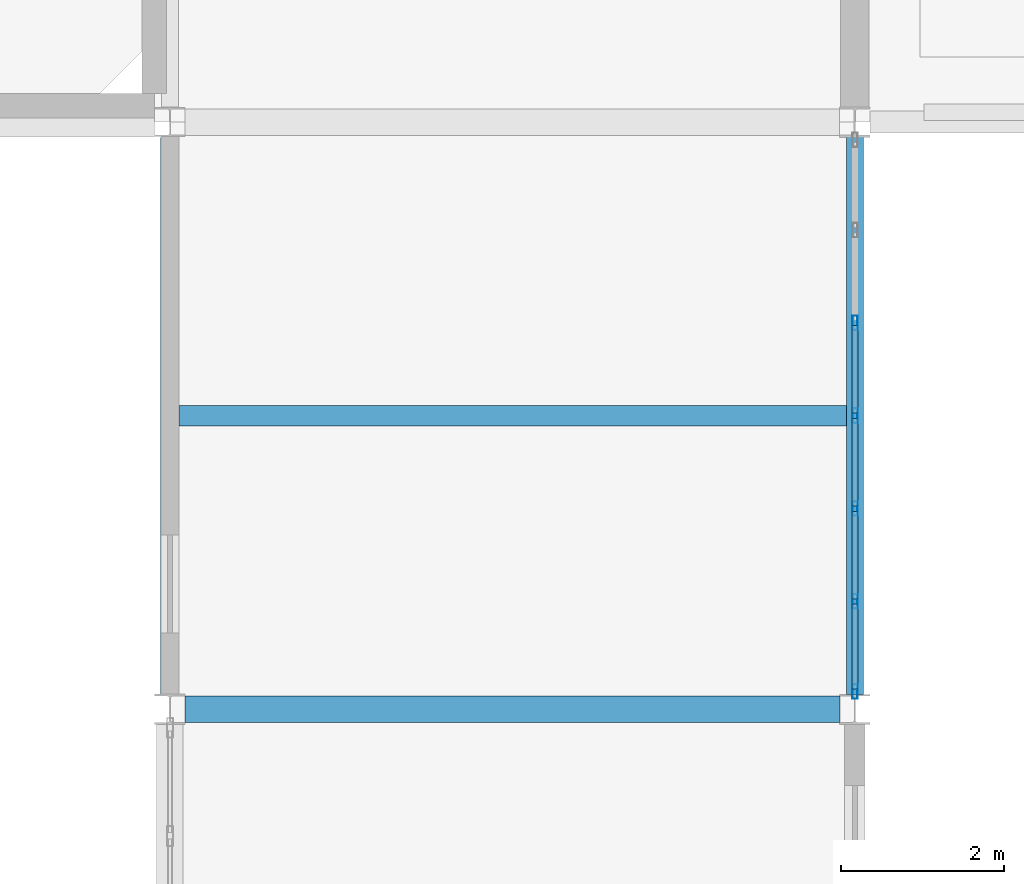
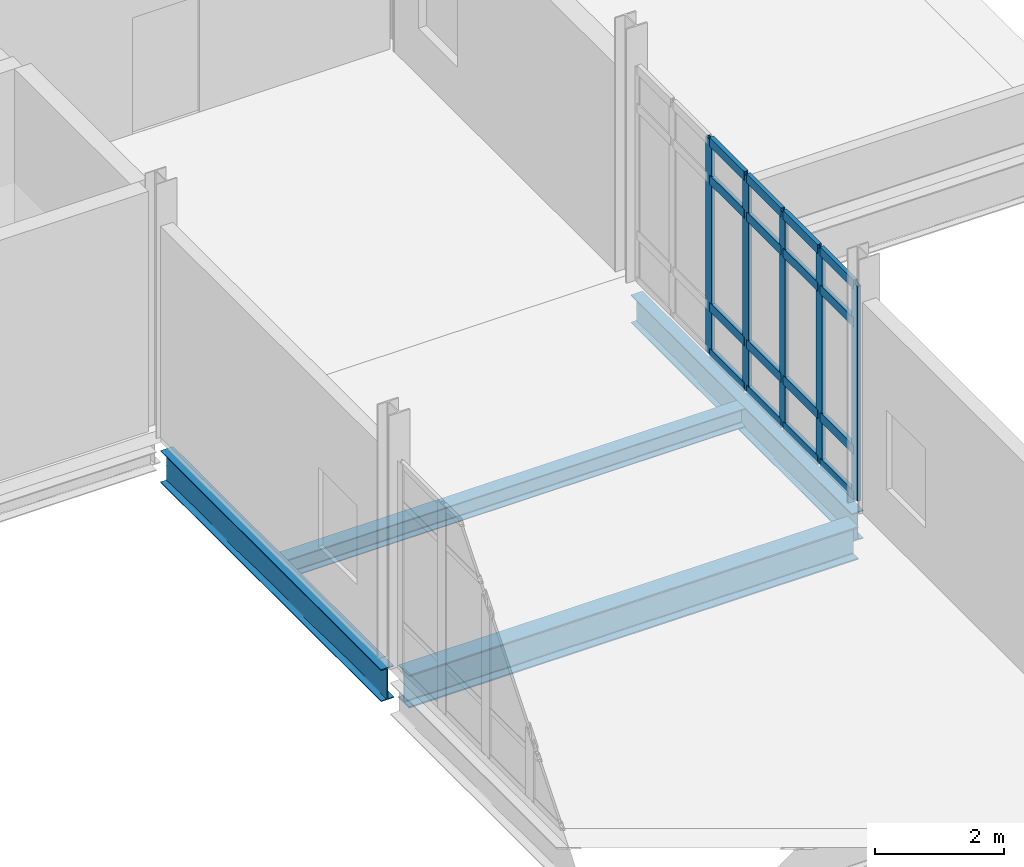
# One storey, part 80 of 186: 21 members, 4 beams, 1 element without a shape of its own.
"""IFC4 building model written with IfcOpenShell, lengths in metres."""

import ifcopenshell
import ifcopenshell.guid

model = None  # the IFC model being written
_history = None  # IfcOwnerHistory: only IFC2X3 demands one
_inside = {}  # id of a spatial element -> (the spatial element, [elements in it])
_under = {}  # id of a project, library or spatial element -> (it, [spatial elements below it])
_declared = {}  # id of a project -> (the project, [libraries it declares])
_typed = {}  # id of a type object -> (the type object, [elements of that type])
_made_of = {}  # id of a material, layer set ... -> (it, [elements and type objects made of it])


def new_model(schema):
    """Start an empty IFC model of exactly this schema.

    Asked for "IFC4X3", IfcOpenShell would pick the latest addendum, in which some entities
    have other attributes; the version numbers below select the first issue.
    IFC2X3 requires an IfcOwnerHistory on every rooted entity: one is made here for all.
    """
    global model, _history
    if schema == "IFC4X3":
        model = ifcopenshell.file(schema_version=(4, 3, 0, 0))
    else:
        model = ifcopenshell.file(schema=schema)
    _inside.clear()
    _under.clear()
    _declared.clear()
    _typed.clear()
    _made_of.clear()
    _history = None
    if model.schema == "IFC2X3":
        org = make("IfcOrganization", Name="unknown")
        user = make(
            "IfcPersonAndOrganization",
            ThePerson=make("IfcPerson", FamilyName="unknown"),
            TheOrganization=org,
        )
        app = make(
            "IfcApplication",
            ApplicationDeveloper=org,
            Version="unknown",
            ApplicationFullName="unknown",
            ApplicationIdentifier="unknown",
        )
        _history = make(
            "IfcOwnerHistory",
            OwningUser=user,
            OwningApplication=app,
            ChangeAction="ADDED",
            CreationDate=0,
        )
    return model


def make(cls, **values):
    """One entity of the class cls with the attributes given. An attribute that is None is left unset."""
    return model.create_entity(
        cls, **{name: value for name, value in values.items() if value is not None}
    )


def rooted(cls, **values):
    """An entity with a GlobalId (a new one), such as an element, a storey or a relation."""
    return make(cls, GlobalId=ifcopenshell.guid.new(), OwnerHistory=_history, **values)


def si_unit(unit_type, name, prefix=None):
    """IfcSIUnit, for example si_unit("LENGTHUNIT", "METRE", prefix="MILLI")."""
    return make("IfcSIUnit", UnitType=unit_type, Prefix=prefix, Name=name)


def assignment(units):
    """IfcUnitAssignment: the units of a project."""
    return None if units is None else make("IfcUnitAssignment", Units=units)


def point(xyz):
    """IfcCartesianPoint."""
    return None if xyz is None else make("IfcCartesianPoint", Coordinates=xyz)


def direction(xyz):
    """IfcDirection."""
    return None if xyz is None else make("IfcDirection", DirectionRatios=xyz)


def frame(location, z_axis=None, x_axis=None):
    """IfcAxis2Placement3D, a coordinate frame: its origin and axes. An axis left out is left unset."""
    return make(
        "IfcAxis2Placement3D",
        Location=point(location),
        Axis=direction(z_axis),
        RefDirection=direction(x_axis),
    )


def frame_2d(location, x_axis=None):
    """IfcAxis2Placement2D, a coordinate frame in the plane: its origin and x axis."""
    return make(
        "IfcAxis2Placement2D", Location=point(location), RefDirection=direction(x_axis)
    )


def origin():
    """The frame at (0, 0, 0) with its axes left unset."""
    return frame((0.0, 0.0, 0.0))


def origin_2d():
    """The frame at (0, 0) in the plane with its x axis left unset."""
    return frame_2d((0.0, 0.0))


def place(relative_to, where):
    """IfcLocalPlacement: puts the frame where relative to a parent placement (None: the world)."""
    return make(
        "IfcLocalPlacement", PlacementRelTo=relative_to, RelativePlacement=where
    )


def context(
    kind, dimensions, precision=None, world=None, true_north=None, identifier=None
):
    """IfcGeometricRepresentationContext, for example the 3D "Model" context."""
    return make(
        "IfcGeometricRepresentationContext",
        ContextIdentifier=identifier,
        ContextType=kind,
        CoordinateSpaceDimension=dimensions,
        Precision=precision,
        WorldCoordinateSystem=world,
        TrueNorth=true_north,
    )


def subcontext(parent, identifier, kind, view, scale=None):
    """IfcGeometricRepresentationSubContext, for example "Body" below "Model"."""
    return make(
        "IfcGeometricRepresentationSubContext",
        ContextIdentifier=identifier,
        ContextType=kind,
        ParentContext=parent,
        TargetScale=scale,
        TargetView=view,
    )


def project(units=None, contexts=None):
    """IfcProject with its units and contexts."""
    return rooted(
        "IfcProject",
        Name="project",
        RepresentationContexts=contexts,
        UnitsInContext=assignment(units),
    )


def spatial(cls, under=None, at=None, **own):
    """A site, building, storey or space (cls), placed at a placement, below another one or the project."""
    s = rooted(cls, ObjectPlacement=at, **own)
    if under is not None:
        _under.setdefault(under.id(), (under, []))[1].append(s)
    return s


def profile(cls, at=None, kind="AREA", **sizes):
    """A parametric profile (cls). Its sizes go by their IFC names, for example OverallWidth=200.0."""
    return make(cls, ProfileType=kind, Position=at, **sizes)


def hollow_rectangle(**sizes):
    """IfcRectangleHollowProfileDef."""
    return profile("IfcRectangleHollowProfileDef", **sizes)


def i_section(**sizes):
    """IfcIShapeProfileDef."""
    return profile("IfcIShapeProfileDef", **sizes)


def extrude(swept, where, along, depth):
    """IfcExtrudedAreaSolid: the profile swept, set in the frame where, extruded along a direction by depth."""
    return make(
        "IfcExtrudedAreaSolid",
        SweptArea=swept,
        Position=where,
        ExtrudedDirection=direction(along),
        Depth=depth,
    )


def shape(context_of_items, identifier, shape_type, items):
    """IfcShapeRepresentation: the items that make up one representation, for example the "Body"."""
    return make(
        "IfcShapeRepresentation",
        ContextOfItems=context_of_items,
        RepresentationIdentifier=identifier,
        RepresentationType=shape_type,
        Items=items,
    )


def material(Name=None, Category=None):
    """IfcMaterial."""
    return make("IfcMaterial", Name=Name, Category=Category)


def layer(
    of_material, thickness, ventilated=None, Name=None, Category=None, Priority=None
):
    """IfcMaterialLayer: one layer of a wall or slab, of a material (None: an air gap)."""
    return make(
        "IfcMaterialLayer",
        Material=of_material,
        LayerThickness=thickness,
        IsVentilated=ventilated,
        Name=Name,
        Category=Category,
        Priority=Priority,
    )


def layer_set(layers, Name=None):
    """IfcMaterialLayerSet."""
    return make("IfcMaterialLayerSet", MaterialLayers=layers, LayerSetName=Name)


def material_profile(
    of_material, cross_section, Name=None, Category=None, Priority=None
):
    """IfcMaterialProfile: a cross section and its material."""
    return make(
        "IfcMaterialProfile",
        Name=Name,
        Material=of_material,
        Profile=cross_section,
        Priority=Priority,
        Category=Category,
    )


def profile_set(profiles, Name=None, composite=None):
    """IfcMaterialProfileSet."""
    return make(
        "IfcMaterialProfileSet",
        Name=Name,
        MaterialProfiles=profiles,
        CompositeProfile=composite,
    )


def made_of(thing, what):
    """Note that an element or type object is made of a material, layer set ...; save() writes the relation."""
    if what is not None:
        _made_of.setdefault(what.id(), (what, []))[1].append(thing)
    return thing


def type_object(cls, material=None, **own):
    """A type object (cls), such as IfcWallType, which elements share."""
    return made_of(rooted(cls, **own), material)


def element(
    cls,
    number,
    at=None,
    inside=None,
    cuts=None,
    type_object=None,
    material=None,
    context=None,
    identifier="Body",
    shape_type=None,
    held_by="IfcProductDefinitionShape",
    body=None,
    shapes=None,
    **own,
):
    """One element of the class cls, such as IfcWall. Its Tag is "e" and its number.

    at: its placement. inside: the storey or other place that contains it. cuts: it is an
    opening in that element (IfcRelVoidsElement). A single representation is given by context,
    identifier, shape_type and body (its items); several are given by shapes. held_by: the class
    of the entity that holds the representations. save() writes the other relations.
    """
    e = rooted(cls, Tag="e%d" % number, ObjectPlacement=at, **own)
    if body is not None:
        shapes = [shape(context, identifier, shape_type, body)]
    if shapes is not None:
        e.Representation = make(held_by, Representations=shapes)
    if inside is not None:
        _inside.setdefault(inside.id(), (inside, []))[1].append(e)
    if cuts is not None:
        rooted(
            "IfcRelVoidsElement", RelatingBuildingElement=cuts, RelatedOpeningElement=e
        )
    if type_object is not None:
        _typed.setdefault(type_object.id(), (type_object, []))[1].append(e)
    return made_of(e, material)


def aggregate(whole, parts):
    """IfcRelAggregates: a whole, such as a stair, and the parts it consists of."""
    return rooted("IfcRelAggregates", RelatingObject=whole, RelatedObjects=parts)


def save(model, path):
    """Write the relations noted so far, then the file.

    IfcRelAggregates (storeys below a building ...), IfcRelContainedInSpatialStructure (elements
    in a storey), IfcRelDefinesByType, IfcRelAssociatesMaterial and IfcRelDeclares: one each for
    every whole, place, type object, material and project.
    """
    for whole, parts in _under.values():
        aggregate(whole, parts)
    for where, things in _inside.values():
        rooted(
            "IfcRelContainedInSpatialStructure",
            RelatedElements=things,
            RelatingStructure=where,
        )
    for kind, things in _typed.values():
        rooted("IfcRelDefinesByType", RelatedObjects=things, RelatingType=kind)
    for what, things in _made_of.values():
        rooted("IfcRelAssociatesMaterial", RelatedObjects=things, RelatingMaterial=what)
    for by, libraries in _declared.values():
        rooted("IfcRelDeclares", RelatingContext=by, RelatedDefinitions=libraries)
    model.write(path)


model = new_model("IFC4")

# Units and contexts
model_context = context("Model", 3, precision=1e-05, world=origin(), true_north=direction((0.0, 1.0)))
body_context = subcontext(model_context, "Body", "Model", "MODEL_VIEW")
ifc_project = project(units=[si_unit("LENGTHUNIT", "METRE"), si_unit("AREAUNIT", "SQUARE_METRE"), si_unit("VOLUMEUNIT", "CUBIC_METRE"), si_unit("PLANEANGLEUNIT", "RADIAN"), si_unit("MASSUNIT", "GRAM", prefix="KILO")], contexts=[model_context])

# Site, building, storey
site_placement = place(None, origin())
site = spatial("IfcSite", under=ifc_project, at=site_placement, CompositionType="ELEMENT")
building_placement = place(site_placement, origin())
building = spatial("IfcBuilding", under=site, at=building_placement, Name="Calvrana Isthmian Art Gallery", CompositionType="ELEMENT")
storey_placement = place(building_placement, frame((0.0, 0.0, 5.39990234375)))
storey = spatial("IfcBuildingStorey", under=building, at=storey_placement, Name="L01", CompositionType="ELEMENT", Elevation=5.39990234375)

# Beams
ifc_material_1 = material(Name="Steel ASTM A992 Gr 50", Category="steel")
ifc_material_profile_1 = material_profile(ifc_material_1, i_section(OverallWidth=0.208984375, OverallDepth=0.532958984375, WebThickness=0.01025390625, FlangeThickness=0.015625, FilletRadius=0.02099609375, at=origin_2d()), Name="W21X62")
ifc_profile_set_1 = profile_set([ifc_material_profile_1], Name="Steel ASTM A992 Gr 50")
beam_type_1 = type_object("IfcBeamType", Name="BM-G-W21X62", PredefinedType="BEAM", material=ifc_profile_set_1)
beam_1_placement = place(storey_placement, frame((63.60009765625, 91.381591796875, -0.511474609375), z_axis=(0.0, 1.0, 0.0), x_axis=(-1.0, 0.0, 0.0)))
element("IfcBeam", 1, at=beam_1_placement, inside=storey, type_object=beam_type_1, Name="Girder Y L01 09/M-N", PredefinedType="BEAM", context=body_context, shape_type="SweptSolid", body=[
    extrude(i_section(OverallWidth=0.208984375, OverallDepth=0.532958984375, WebThickness=0.01025390625, FlangeThickness=0.015625, FilletRadius=0.02099609375, at=origin_2d()), origin(), (0.0, 0.0, 1.0), 6.83447265625),
])
ifc_material_profile_2 = material_profile(ifc_material_1, i_section(OverallWidth=0.327880859375, OverallDepth=0.6220703125, WebThickness=0.015380859375, FlangeThickness=0.0244140625, FilletRadius=0.02197265625, at=origin_2d()), Name="W24X131")
ifc_profile_set_2 = profile_set([ifc_material_profile_2], Name="Steel ASTM A992 Gr 50")
beam_type_2 = type_object("IfcBeamType", Name="BM-G-W24X131", PredefinedType="BEAM", material=ifc_profile_set_2)
beam_2_placement = place(storey_placement, frame((55.386474609375, 91.199951171875, -0.555908203125), z_axis=(1.0, 0.0, 0.0), x_axis=(0.0, 1.0, 0.0)))
element("IfcBeam", 2, at=beam_2_placement, inside=storey, type_object=beam_type_2, Name="Girder X L01 08-09/M", PredefinedType="BEAM", context=body_context, shape_type="SweptSolid", body=[
    extrude(i_section(OverallWidth=0.327880859375, OverallDepth=0.6220703125, WebThickness=0.015380859375, FlangeThickness=0.0244140625, FilletRadius=0.02197265625, at=origin_2d()), origin(), (0.0, 0.0, 1.0), 8.028076171875),
])
ifc_material_profile_3 = material_profile(ifc_material_1, i_section(OverallWidth=0.22802734375, OverallDepth=0.60693359375, WebThickness=0.01123046875, FlangeThickness=0.017333984375, FilletRadius=0.02197265625, at=origin_2d()), Name="W24X76")
ifc_profile_set_3 = profile_set([ifc_material_profile_3], Name="Steel ASTM A992 Gr 50")
beam_type_3 = type_object("IfcBeamType", Name="BM-G-W24X76", PredefinedType="BEAM", material=ifc_profile_set_3)
beam_3_placement = place(storey_placement, frame((55.199951171875, 91.384033203125, -0.54833984375), z_axis=(0.0, 1.0, 0.0), x_axis=(-1.0, 0.0, 0.0)))
element("IfcBeam", 3, at=beam_3_placement, inside=storey, type_object=beam_type_3, Name="Girder Y L01 08/M-N", PredefinedType="BEAM", context=body_context, shape_type="SweptSolid", body=[
    extrude(i_section(OverallWidth=0.22802734375, OverallDepth=0.60693359375, WebThickness=0.01123046875, FlangeThickness=0.017333984375, FilletRadius=0.02197265625, at=origin_2d()), origin(), (0.0, 0.0, 1.0), 6.829345703125),
])
ifc_material_profile_4 = material_profile(ifc_material_1, i_section(OverallWidth=0.25390625, OverallDepth=0.35302734375, WebThickness=0.009521484375, FlangeThickness=0.016357421875, FilletRadius=0.01806640625, at=origin_2d()), Name="W14X61")
ifc_profile_set_4 = profile_set([ifc_material_profile_4], Name="Steel ASTM A992 Gr 50")
beam_type_4 = type_object("IfcBeamType", Name="BM-J-W14X61", PredefinedType="JOIST", material=ifc_profile_set_4)
beam_4_placement = place(storey_placement, frame((55.31396484375, 94.800048828125, -0.42138671875), z_axis=(1.0, 0.0, 0.0), x_axis=(0.0, 1.0, 0.0)))
element("IfcBeam", 4, at=beam_4_placement, inside=storey, type_object=beam_type_4, Name="Composite joist L01 bay 07-12", PredefinedType="JOIST", context=body_context, shape_type="SweptSolid", body=[
    extrude(i_section(OverallWidth=0.25390625, OverallDepth=0.35302734375, WebThickness=0.009521484375, FlangeThickness=0.016357421875, FilletRadius=0.01806640625, at=origin_2d()), origin(), (0.0, 0.0, 1.0), 8.181640625),
])

# Curtain wall, members
ifc_material_2 = material(Name="Anodized bronze aluminium 6063-T6", Category="aluminium")
ifc_layer = layer(ifc_material_2, 0.179931640625, Name="Anodized bronze aluminium 6063-T6")
ifc_layer_set = layer_set([ifc_layer], Name="Anodized bronze aluminium 6063-T6")
curtain_wall_type = type_object("IfcCurtainWallType", Name="CW-STICK-068X41", PredefinedType="NOTDEFINED", material=ifc_layer_set)
curtain_wall_placement = place(storey_placement, origin())
curtain_wall = element("IfcCurtainWall", 5, at=curtain_wall_placement, inside=storey, type_object=curtain_wall_type, Name="Curtain wall CW-128", PredefinedType="NOTDEFINED")
ifc_material_profile_5 = material_profile(ifc_material_2, hollow_rectangle(XDim=0.06494140625, YDim=0.179931640625, WallThickness=0.00439453125, at=origin_2d()), Name="CWM65X180")
ifc_profile_set_5 = profile_set([ifc_material_profile_5], Name="Anodized bronze aluminium 6063-T6")
member_type_1 = type_object("IfcMemberType", Name="CWM-CWM65X180", PredefinedType="MULLION", material=ifc_profile_set_5)
member_1_placement = place(storey_placement, frame((63.60009765625, 95.93701171875, 0.0), z_axis=(0.0, 0.0, 1.0), x_axis=(1.0, 0.0, 0.0)))
member_1 = element("IfcMember", 6, at=member_1_placement, type_object=member_type_1, Name="CW-128 mullion 3", PredefinedType="MULLION", context=body_context, shape_type="SweptSolid", body=[
    extrude(hollow_rectangle(XDim=0.06494140625, YDim=0.179931640625, WallThickness=0.00439453125, at=origin_2d()), origin(), (0.0, 0.0, 1.0), 4.05810546875),
])
member_2_placement = place(storey_placement, frame((63.60009765625, 94.798828125, 0.0), z_axis=(0.0, 0.0, 1.0), x_axis=(1.0, 0.0, 0.0)))
member_2 = element("IfcMember", 7, at=member_2_placement, type_object=member_type_1, Name="CW-128 mullion 4", PredefinedType="MULLION", context=body_context, shape_type="SweptSolid", body=[
    extrude(hollow_rectangle(XDim=0.06494140625, YDim=0.179931640625, WallThickness=0.00439453125, at=origin_2d()), origin(), (0.0, 0.0, 1.0), 4.05810546875),
])
member_3_placement = place(storey_placement, frame((63.60009765625, 93.660400390625, 0.0), z_axis=(0.0, 0.0, 1.0), x_axis=(1.0, 0.0, 0.0)))
member_3 = element("IfcMember", 8, at=member_3_placement, type_object=member_type_1, Name="CW-128 mullion 5", PredefinedType="MULLION", context=body_context, shape_type="SweptSolid", body=[
    extrude(hollow_rectangle(XDim=0.06494140625, YDim=0.179931640625, WallThickness=0.00439453125, at=origin_2d()), origin(), (0.0, 0.0, 1.0), 4.05810546875),
])
member_4_placement = place(storey_placement, frame((63.60009765625, 92.522216796875, 0.0), z_axis=(0.0, 0.0, 1.0), x_axis=(1.0, 0.0, 0.0)))
member_4 = element("IfcMember", 9, at=member_4_placement, type_object=member_type_1, Name="CW-128 mullion 6", PredefinedType="MULLION", context=body_context, shape_type="SweptSolid", body=[
    extrude(hollow_rectangle(XDim=0.06494140625, YDim=0.179931640625, WallThickness=0.00439453125, at=origin_2d()), origin(), (0.0, 0.0, 1.0), 4.05810546875),
])
member_5_placement = place(storey_placement, frame((63.60009765625, 91.41650390625, 0.0), z_axis=(0.0, 0.0, 1.0), x_axis=(1.0, 0.0, 0.0)))
member_5 = element("IfcMember", 10, at=member_5_placement, type_object=member_type_1, Name="CW-128 mullion 7", PredefinedType="MULLION", context=body_context, shape_type="SweptSolid", body=[
    extrude(hollow_rectangle(XDim=0.06494140625, YDim=0.179931640625, WallThickness=0.00439453125, at=origin_2d()), origin(), (0.0, 0.0, 1.0), 4.05810546875),
])
ifc_material_profile_6 = material_profile(ifc_material_2, hollow_rectangle(XDim=0.070068359375, YDim=0.169921875, WallThickness=0.00439453125, at=origin_2d()), Name="CWT70X170")
ifc_profile_set_6 = profile_set([ifc_material_profile_6], Name="Anodized bronze aluminium 6063-T6")
member_type_2 = type_object("IfcMemberType", Name="CWT-CWT70X170", PredefinedType="USERDEFINED", material=ifc_profile_set_6)
member_6_placement = place(storey_placement, frame((63.60009765625, 95.904541015625, 0.03515625), z_axis=(0.0, -1.0, 0.0), x_axis=(1.0, 0.0, 0.0)))
member_6 = element("IfcMember", 11, at=member_6_placement, type_object=member_type_2, Name="CW-128 transom 3.1", ObjectType="TRANSOM", PredefinedType="USERDEFINED", context=body_context, shape_type="SweptSolid", body=[
    extrude(hollow_rectangle(XDim=0.070068359375, YDim=0.169921875, WallThickness=0.00439453125, at=origin_2d()), origin(), (0.0, 0.0, 1.0), 1.0732421875),
])
member_7_placement = place(storey_placement, frame((63.60009765625, 95.904541015625, 0.900146484375), z_axis=(0.0, -1.0, 0.0), x_axis=(1.0, 0.0, 0.0)))
member_7 = element("IfcMember", 12, at=member_7_placement, type_object=member_type_2, Name="CW-128 transom 3.2", ObjectType="TRANSOM", PredefinedType="USERDEFINED", context=body_context, shape_type="SweptSolid", body=[
    extrude(hollow_rectangle(XDim=0.070068359375, YDim=0.169921875, WallThickness=0.00439453125, at=origin_2d()), origin(), (0.0, 0.0, 1.0), 1.0732421875),
])
member_8_placement = place(storey_placement, frame((63.60009765625, 95.904541015625, 3.30810546875), z_axis=(0.0, -1.0, 0.0), x_axis=(1.0, 0.0, 0.0)))
member_8 = element("IfcMember", 13, at=member_8_placement, type_object=member_type_2, Name="CW-128 transom 3.3", ObjectType="TRANSOM", PredefinedType="USERDEFINED", context=body_context, shape_type="SweptSolid", body=[
    extrude(hollow_rectangle(XDim=0.070068359375, YDim=0.169921875, WallThickness=0.00439453125, at=origin_2d()), origin(), (0.0, 0.0, 1.0), 1.0732421875),
])
member_9_placement = place(storey_placement, frame((63.60009765625, 95.904541015625, 4.023193359375), z_axis=(0.0, -1.0, 0.0), x_axis=(1.0, 0.0, 0.0)))
member_9 = element("IfcMember", 14, at=member_9_placement, type_object=member_type_2, Name="CW-128 transom 3.4", ObjectType="TRANSOM", PredefinedType="USERDEFINED", context=body_context, shape_type="SweptSolid", body=[
    extrude(hollow_rectangle(XDim=0.070068359375, YDim=0.169921875, WallThickness=0.00439453125, at=origin_2d()), origin(), (0.0, 0.0, 1.0), 1.0732421875),
])
member_10_placement = place(storey_placement, frame((63.60009765625, 94.766357421875, 0.03515625), z_axis=(0.0, -1.0, 0.0), x_axis=(1.0, 0.0, 0.0)))
member_10 = element("IfcMember", 15, at=member_10_placement, type_object=member_type_2, Name="CW-128 transom 4.1", ObjectType="TRANSOM", PredefinedType="USERDEFINED", context=body_context, shape_type="SweptSolid", body=[
    extrude(hollow_rectangle(XDim=0.070068359375, YDim=0.169921875, WallThickness=0.00439453125, at=origin_2d()), origin(), (0.0, 0.0, 1.0), 1.0732421875),
])
member_11_placement = place(storey_placement, frame((63.60009765625, 94.766357421875, 0.900146484375), z_axis=(0.0, -1.0, 0.0), x_axis=(1.0, 0.0, 0.0)))
member_11 = element("IfcMember", 16, at=member_11_placement, type_object=member_type_2, Name="CW-128 transom 4.2", ObjectType="TRANSOM", PredefinedType="USERDEFINED", context=body_context, shape_type="SweptSolid", body=[
    extrude(hollow_rectangle(XDim=0.070068359375, YDim=0.169921875, WallThickness=0.00439453125, at=origin_2d()), origin(), (0.0, 0.0, 1.0), 1.0732421875),
])
member_12_placement = place(storey_placement, frame((63.60009765625, 94.766357421875, 3.30810546875), z_axis=(0.0, -1.0, 0.0), x_axis=(1.0, 0.0, 0.0)))
member_12 = element("IfcMember", 17, at=member_12_placement, type_object=member_type_2, Name="CW-128 transom 4.3", ObjectType="TRANSOM", PredefinedType="USERDEFINED", context=body_context, shape_type="SweptSolid", body=[
    extrude(hollow_rectangle(XDim=0.070068359375, YDim=0.169921875, WallThickness=0.00439453125, at=origin_2d()), origin(), (0.0, 0.0, 1.0), 1.0732421875),
])
member_13_placement = place(storey_placement, frame((63.60009765625, 94.766357421875, 4.023193359375), z_axis=(0.0, -1.0, 0.0), x_axis=(1.0, 0.0, 0.0)))
member_13 = element("IfcMember", 18, at=member_13_placement, type_object=member_type_2, Name="CW-128 transom 4.4", ObjectType="TRANSOM", PredefinedType="USERDEFINED", context=body_context, shape_type="SweptSolid", body=[
    extrude(hollow_rectangle(XDim=0.070068359375, YDim=0.169921875, WallThickness=0.00439453125, at=origin_2d()), origin(), (0.0, 0.0, 1.0), 1.0732421875),
])
member_14_placement = place(storey_placement, frame((63.60009765625, 93.6279296875, 0.03515625), z_axis=(0.0, -1.0, 0.0), x_axis=(1.0, 0.0, 0.0)))
member_14 = element("IfcMember", 19, at=member_14_placement, type_object=member_type_2, Name="CW-128 transom 5.1", ObjectType="TRANSOM", PredefinedType="USERDEFINED", context=body_context, shape_type="SweptSolid", body=[
    extrude(hollow_rectangle(XDim=0.070068359375, YDim=0.169921875, WallThickness=0.00439453125, at=origin_2d()), origin(), (0.0, 0.0, 1.0), 1.0732421875),
])
member_15_placement = place(storey_placement, frame((63.60009765625, 93.6279296875, 0.900146484375), z_axis=(0.0, -1.0, 0.0), x_axis=(1.0, 0.0, 0.0)))
member_15 = element("IfcMember", 20, at=member_15_placement, type_object=member_type_2, Name="CW-128 transom 5.2", ObjectType="TRANSOM", PredefinedType="USERDEFINED", context=body_context, shape_type="SweptSolid", body=[
    extrude(hollow_rectangle(XDim=0.070068359375, YDim=0.169921875, WallThickness=0.00439453125, at=origin_2d()), origin(), (0.0, 0.0, 1.0), 1.0732421875),
])
member_16_placement = place(storey_placement, frame((63.60009765625, 93.6279296875, 3.30810546875), z_axis=(0.0, -1.0, 0.0), x_axis=(1.0, 0.0, 0.0)))
member_16 = element("IfcMember", 21, at=member_16_placement, type_object=member_type_2, Name="CW-128 transom 5.3", ObjectType="TRANSOM", PredefinedType="USERDEFINED", context=body_context, shape_type="SweptSolid", body=[
    extrude(hollow_rectangle(XDim=0.070068359375, YDim=0.169921875, WallThickness=0.00439453125, at=origin_2d()), origin(), (0.0, 0.0, 1.0), 1.0732421875),
])
member_17_placement = place(storey_placement, frame((63.60009765625, 93.6279296875, 4.023193359375), z_axis=(0.0, -1.0, 0.0), x_axis=(1.0, 0.0, 0.0)))
member_17 = element("IfcMember", 22, at=member_17_placement, type_object=member_type_2, Name="CW-128 transom 5.4", ObjectType="TRANSOM", PredefinedType="USERDEFINED", context=body_context, shape_type="SweptSolid", body=[
    extrude(hollow_rectangle(XDim=0.070068359375, YDim=0.169921875, WallThickness=0.00439453125, at=origin_2d()), origin(), (0.0, 0.0, 1.0), 1.0732421875),
])
member_18_placement = place(storey_placement, frame((63.60009765625, 92.48974609375, 0.03515625), z_axis=(0.0, -1.0, 0.0), x_axis=(1.0, 0.0, 0.0)))
member_18 = element("IfcMember", 23, at=member_18_placement, type_object=member_type_2, Name="CW-128 transom 6.1", ObjectType="TRANSOM", PredefinedType="USERDEFINED", context=body_context, shape_type="SweptSolid", body=[
    extrude(hollow_rectangle(XDim=0.070068359375, YDim=0.169921875, WallThickness=0.00439453125, at=origin_2d()), origin(), (0.0, 0.0, 1.0), 1.040771484375),
])
member_19_placement = place(storey_placement, frame((63.60009765625, 92.48974609375, 0.900146484375), z_axis=(0.0, -1.0, 0.0), x_axis=(1.0, 0.0, 0.0)))
member_19 = element("IfcMember", 24, at=member_19_placement, type_object=member_type_2, Name="CW-128 transom 6.2", ObjectType="TRANSOM", PredefinedType="USERDEFINED", context=body_context, shape_type="SweptSolid", body=[
    extrude(hollow_rectangle(XDim=0.070068359375, YDim=0.169921875, WallThickness=0.00439453125, at=origin_2d()), origin(), (0.0, 0.0, 1.0), 1.040771484375),
])
member_20_placement = place(storey_placement, frame((63.60009765625, 92.48974609375, 3.30810546875), z_axis=(0.0, -1.0, 0.0), x_axis=(1.0, 0.0, 0.0)))
member_20 = element("IfcMember", 25, at=member_20_placement, type_object=member_type_2, Name="CW-128 transom 6.3", ObjectType="TRANSOM", PredefinedType="USERDEFINED", context=body_context, shape_type="SweptSolid", body=[
    extrude(hollow_rectangle(XDim=0.070068359375, YDim=0.169921875, WallThickness=0.00439453125, at=origin_2d()), origin(), (0.0, 0.0, 1.0), 1.040771484375),
])
member_21_placement = place(storey_placement, frame((63.60009765625, 92.48974609375, 4.023193359375), z_axis=(0.0, -1.0, 0.0), x_axis=(1.0, 0.0, 0.0)))
member_21 = element("IfcMember", 26, at=member_21_placement, type_object=member_type_2, Name="CW-128 transom 6.4", ObjectType="TRANSOM", PredefinedType="USERDEFINED", context=body_context, shape_type="SweptSolid", body=[
    extrude(hollow_rectangle(XDim=0.070068359375, YDim=0.169921875, WallThickness=0.00439453125, at=origin_2d()), origin(), (0.0, 0.0, 1.0), 1.040771484375),
])
aggregate(curtain_wall, [member_1, member_2, member_3, member_4, member_5, member_6, member_7, member_8, member_9, member_10, member_11, member_12, member_13, member_14, member_15, member_16, member_17, member_18, member_19, member_20, member_21])

save(model, "model.ifc")
